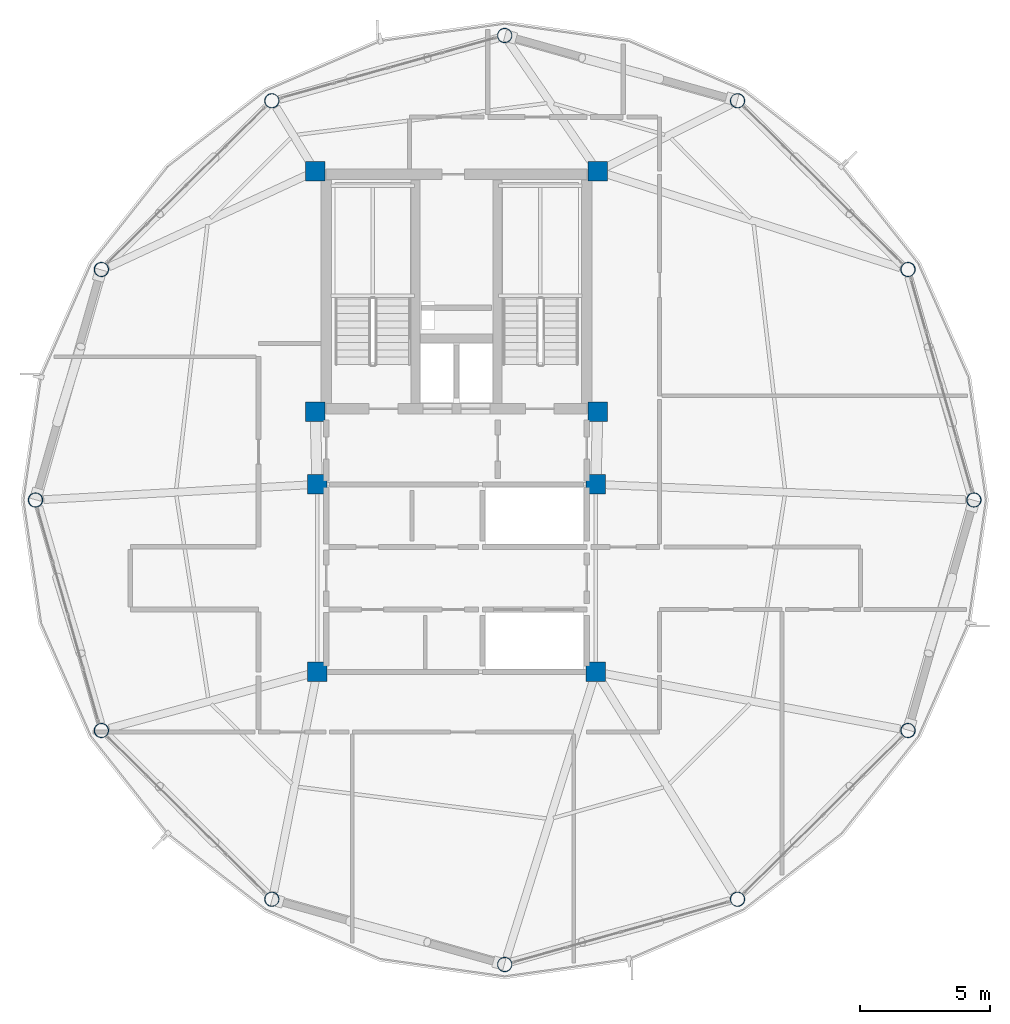
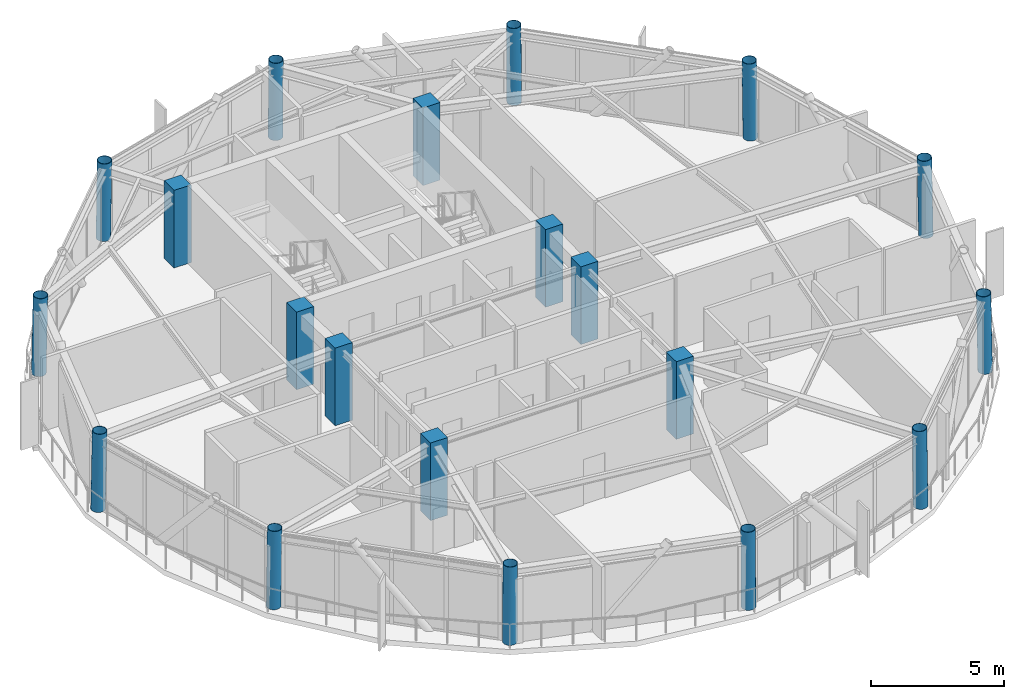
# One storey, part 1 of 24: 20 columns.
"""IFC4 building model written with IfcOpenShell, lengths in metres."""

from ifc_helpers import new_model, si_unit, direction, frame, origin, origin_2d, place, context, subcontext, project, spatial, rectangle, hollow_circle, extrude, material, material_profile, profile_set, type_object, element, save


model = new_model("IFC4")

# Units and contexts
model_context = context("Model", 3, precision=1e-05, world=origin(), true_north=direction((0.0, 1.0)))
body_context = subcontext(model_context, "Body", "Model", "MODEL_VIEW")
ifc_project = project(units=[si_unit("LENGTHUNIT", "METRE"), si_unit("AREAUNIT", "SQUARE_METRE"), si_unit("VOLUMEUNIT", "CUBIC_METRE"), si_unit("PLANEANGLEUNIT", "RADIAN"), si_unit("MASSUNIT", "GRAM", prefix="KILO")], contexts=[model_context])

# Site, building, storey
site_placement = place(None, origin())
site = spatial("IfcSite", under=ifc_project, at=site_placement, CompositionType="ELEMENT")
building_placement = place(site_placement, origin())
building = spatial("IfcBuilding", under=site, at=building_placement, Name="Varnakorn Sky Granary", CompositionType="ELEMENT")
storey_placement = place(building_placement, frame((0.0, 0.0, 274.199951171875)))
storey = spatial("IfcBuildingStorey", under=building, at=storey_placement, Name="L70", CompositionType="ELEMENT", Elevation=274.199951171875)

# Columns
ifc_material_1 = material(Name="Steel S460M", Category="steel")
ifc_material_profile_1 = material_profile(ifc_material_1, hollow_circle(Radius=0.279541015625, WallThickness=0.02001953125, at=origin_2d()), Name="CHS 559x20")
ifc_profile_set_1 = profile_set([ifc_material_profile_1], Name="Steel S460M")
column_type_1 = type_object("IfcColumnType", Name="COL-DC-Z5", PredefinedType="COLUMN", material=ifc_profile_set_1)
column_1_placement = place(storey_placement, frame((22.87109375, 0.0, 0.0), z_axis=(-0.019050015053, 0.0, 0.999818531998), x_axis=(0.0, -1.0, 0.0)))
element("IfcColumn", 1, at=column_1_placement, inside=storey, type_object=column_type_1, Name="Drum Perimeter Column DC01 L70", PredefinedType="COLUMN", context=body_context, shape_type="SweptSolid", body=[
    extrude(hollow_circle(Radius=0.279541015625, WallThickness=0.02001953125, at=origin_2d()), origin(), (0.0, 0.0, 1.0), 3.57568359375),
])
column_2_placement = place(storey_placement, frame((20.339599609375, 8.85009765625, 0.0), z_axis=(-0.016455969971, -0.004643178249, 0.999853810288), x_axis=(0.271555014366, -0.962422918562, 0.0)))
element("IfcColumn", 2, at=column_2_placement, inside=storey, type_object=column_type_1, Name="Drum Perimeter Column DC02 L70", PredefinedType="COLUMN", context=body_context, shape_type="SweptSolid", body=[
    extrude(hollow_circle(Radius=0.279541015625, WallThickness=0.02001953125, at=origin_2d()), origin(), (0.0, 0.0, 1.0), 3.575439453125),
])
for number, where, z_axis, x_axis, name in (
    (3, (13.79296875, 15.32861328125, 0.0), (-0.009491859699, -0.00798955097, 0.999923032875), (0.643966239347, -0.765053908284, 0.0), "Drum Perimeter Column DC03 L70"),
    (4, (4.85009765625, 17.8349609375, 0.0), (0.0, -0.009219030459, 0.999957503836), (1.0, 0.0, 0.0), "Drum Perimeter Column DC04 L70"),
    (5, (-4.093017578125, 15.32861328125, 0.0), (0.009491859699, -0.00798955097, 0.999923032875), (0.643966239347, 0.765053908284, 0.0), "Drum Perimeter Column DC05 L70"),
):
    element("IfcColumn", number, at=place(storey_placement, frame(where, z_axis=z_axis, x_axis=x_axis)), inside=storey, type_object=column_type_1, Name=name, PredefinedType="COLUMN", context=body_context, shape_type="SweptSolid", body=[
        extrude(hollow_circle(Radius=0.279541015625, WallThickness=0.02001953125, at=origin_2d()), origin(), (0.0, 0.0, 1.0), 3.5751953125),
    ])
column_3_placement = place(storey_placement, frame((-10.6396484375, 8.85009765625, 0.0), z_axis=(0.016455969971, -0.004643178249, 0.999853810288), x_axis=(0.271555014366, 0.962422918562, 0.0)))
element("IfcColumn", 6, at=column_3_placement, inside=storey, type_object=column_type_1, Name="Drum Perimeter Column DC06 L70", PredefinedType="COLUMN", context=body_context, shape_type="SweptSolid", body=[
    extrude(hollow_circle(Radius=0.279541015625, WallThickness=0.02001953125, at=origin_2d()), origin(), (0.0, 0.0, 1.0), 3.575439453125),
])
column_4_placement = place(storey_placement, frame((-13.1708984375, 0.0, 0.0), z_axis=(0.018981760075, 0.0, 0.999819830162), x_axis=(0.0, 1.0, 0.0)))
element("IfcColumn", 7, at=column_4_placement, inside=storey, type_object=column_type_1, Name="Drum Perimeter Column DC07 L70", PredefinedType="COLUMN", context=body_context, shape_type="SweptSolid", body=[
    extrude(hollow_circle(Radius=0.279541015625, WallThickness=0.02001953125, at=origin_2d()), origin(), (0.0, 0.0, 1.0), 3.57568359375),
])
column_5_placement = place(storey_placement, frame((-10.6396484375, -8.85009765625, 0.0), z_axis=(0.016455969971, 0.004643178249, 0.999853810288), x_axis=(-0.271555014366, 0.962422918562, 0.0)))
element("IfcColumn", 8, at=column_5_placement, inside=storey, type_object=column_type_1, Name="Drum Perimeter Column DC08 L70", PredefinedType="COLUMN", context=body_context, shape_type="SweptSolid", body=[
    extrude(hollow_circle(Radius=0.279541015625, WallThickness=0.02001953125, at=origin_2d()), origin(), (0.0, 0.0, 1.0), 3.575439453125),
])
for number, where, z_axis, x_axis, name in (
    (9, (-4.093017578125, -15.32861328125, 0.0), (0.009491859699, 0.00798955097, 0.999923032875), (-0.643966239347, 0.765053908284, 0.0), "Drum Perimeter Column DC09 L70"),
    (10, (4.85009765625, -17.8349609375, 0.0), (0.0, 0.009219030459, 0.999957503836), (-1.0, 0.0, 0.0), "Drum Perimeter Column DC10 L70"),
    (11, (13.79296875, -15.32861328125, 0.0), (-0.009491859699, 0.00798955097, 0.999923032875), (-0.643966239347, -0.765053908284, 0.0), "Drum Perimeter Column DC11 L70"),
):
    element("IfcColumn", number, at=place(storey_placement, frame(where, z_axis=z_axis, x_axis=x_axis)), inside=storey, type_object=column_type_1, Name=name, PredefinedType="COLUMN", context=body_context, shape_type="SweptSolid", body=[
        extrude(hollow_circle(Radius=0.279541015625, WallThickness=0.02001953125, at=origin_2d()), origin(), (0.0, 0.0, 1.0), 3.5751953125),
    ])
column_6_placement = place(storey_placement, frame((20.339599609375, -8.85009765625, 0.0), z_axis=(-0.016455969971, 0.004643178249, 0.999853810288), x_axis=(-0.271555014366, -0.962422918562, 0.0)))
element("IfcColumn", 12, at=column_6_placement, inside=storey, type_object=column_type_1, Name="Drum Perimeter Column DC12 L70", PredefinedType="COLUMN", context=body_context, shape_type="SweptSolid", body=[
    extrude(hollow_circle(Radius=0.279541015625, WallThickness=0.02001953125, at=origin_2d()), origin(), (0.0, 0.0, 1.0), 3.575439453125),
])
ifc_material_2 = material(Name="Concrete C50/60", Category="concrete")
ifc_material_profile_2 = material_profile(ifc_material_2, rectangle(XDim=0.75, YDim=0.75, at=origin_2d()), Name="RC 750x750")
ifc_profile_set_2 = profile_set([ifc_material_profile_2], Name="Concrete C50/60")
column_type_2 = type_object("IfcColumnType", Name="COL-MC-Z5", PredefinedType="COLUMN", material=ifc_profile_set_2)
for number, where, z_axis, x_axis, name in (
    (13, (-2.419921875, 12.6201171875, 0.0), (0.0, 0.0, 1.0), (1.0, 0.0, 0.0), "Backbone Mega-Column MC1 L70"),
    (14, (8.419921875, 12.6201171875, 0.0), (0.0, 0.0, 1.0), (1.0, 0.0, 0.0), "Backbone Mega-Column MC2 L70"),
    (15, (-2.419921875, 3.3798828125, 0.0), (0.0, 0.0, 1.0), (1.0, 0.0, 0.0), "Backbone Mega-Column MC3 L70"),
    (16, (8.419921875, 3.3798828125, 0.0), (0.0, 0.0, 1.0), (1.0, 0.0, 0.0), "Backbone Mega-Column MC4 L70"),
    (17, (-2.35009765625, 0.60009765625, 0.0), (0.0, 0.0, 1.0), (1.0, 0.0, 0.0), "Backbone Mega-Column MC5 L70"),
    (18, (8.35009765625, 0.60009765625, 0.0), (0.0, 0.0, 1.0), (1.0, 0.0, 0.0), "Backbone Mega-Column MC6 L70"),
    (19, (-2.35009765625, -6.60009765625, 0.0), (0.0, 0.0, 1.0), (1.0, 0.0, 0.0), "Backbone Mega-Column MC7 L70"),
    (20, (8.35009765625, -6.60009765625, 0.0), (0.0, 0.0, 1.0), (1.0, 0.0, 0.0), "Backbone Mega-Column MC8 L70"),
):
    element("IfcColumn", number, at=place(storey_placement, frame(where, z_axis=z_axis, x_axis=x_axis)), inside=storey, type_object=column_type_2, Name=name, PredefinedType="COLUMN", context=body_context, shape_type="SweptSolid", body=[
        extrude(rectangle(XDim=0.75, YDim=0.75, at=origin_2d()), origin(), (0.0, 0.0, 1.0), 3.574951171875),
    ])

save(model, "model.ifc")
